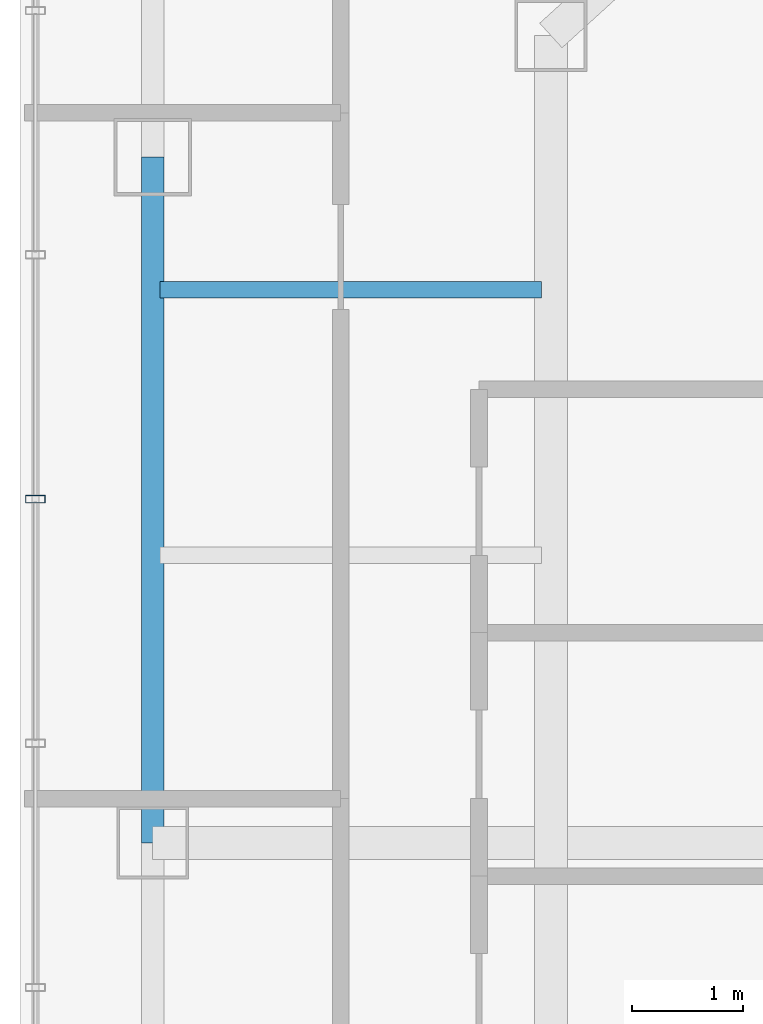
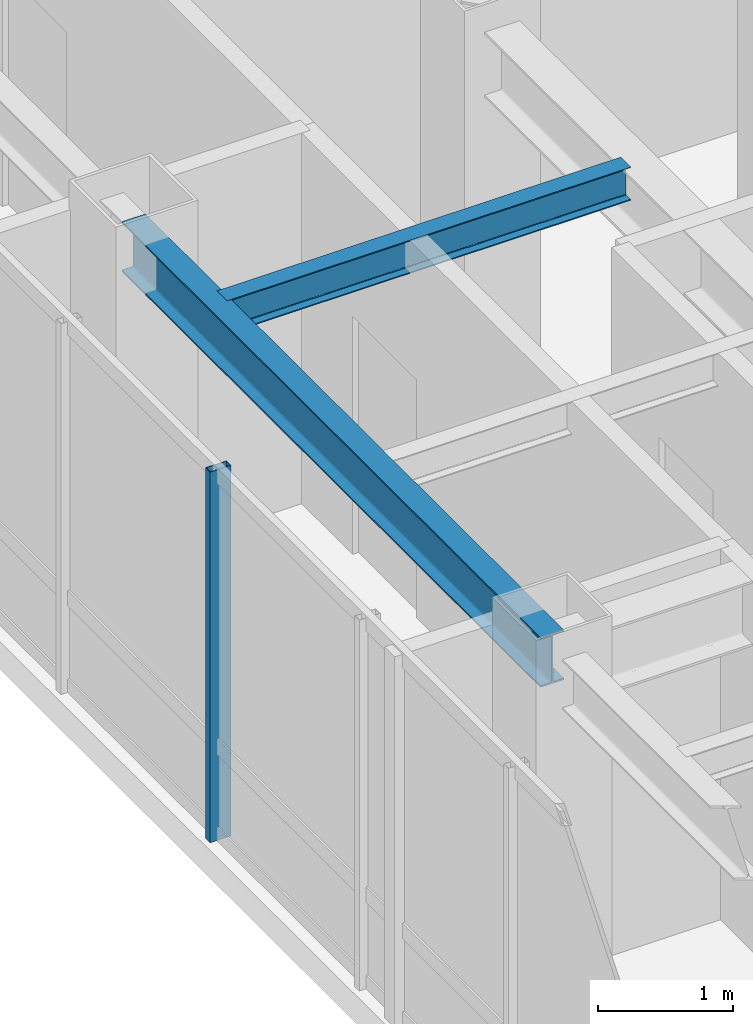
# One storey, part 8 of 26: 2 beams, 1 member, 1 element without a shape of its own.
"""IFC4 building model written with IfcOpenShell, lengths in metres."""

from ifc_helpers import new_model, si_unit, direction, frame, origin, origin_2d, place, context, subcontext, project, spatial, hollow_rectangle, i_section, extrude, material, layer, layer_set, material_profile, profile_set, type_object, element, aggregate, save


model = new_model("IFC4")

# Units and contexts
model_context = context("Model", 3, precision=1e-05, world=origin(), true_north=direction((0.0, 1.0)))
body_context = subcontext(model_context, "Body", "Model", "MODEL_VIEW")
ifc_project = project(units=[si_unit("LENGTHUNIT", "METRE"), si_unit("AREAUNIT", "SQUARE_METRE"), si_unit("VOLUMEUNIT", "CUBIC_METRE"), si_unit("PLANEANGLEUNIT", "RADIAN"), si_unit("MASSUNIT", "GRAM", prefix="KILO")], contexts=[model_context])

# Site, building, storey
site_placement = place(None, origin())
site = spatial("IfcSite", under=ifc_project, at=site_placement, CompositionType="ELEMENT")
building_placement = place(site_placement, origin())
building = spatial("IfcBuilding", under=site, at=building_placement, Name="Hatsunagi Terrace Concourse", CompositionType="ELEMENT")
storey_placement = place(building_placement, frame((0.0, 0.0, 227.550048828125)))
storey = spatial("IfcBuildingStorey", under=building, at=storey_placement, Name="L60", CompositionType="ELEMENT", Elevation=227.550048828125)

# Curtain wall, member
ifc_material_1 = material(Name="Anodised Aluminium Alloy 6063-T5", Category="aluminium")
ifc_layer = layer(ifc_material_1, 0.199951171875)
ifc_layer_set = layer_set([ifc_layer], Name="OfficeZone2_CW04")
curtain_wall_type = type_object("IfcCurtainWallType", Name="OfficeZone2_CW04", PredefinedType="NOTDEFINED", material=ifc_layer_set)
curtain_wall_placement = place(storey_placement, origin())
curtain_wall = element("IfcCurtainWall", 1, at=curtain_wall_placement, inside=storey, type_object=curtain_wall_type, Name="Unitised Curtain Wall CW-04 CW-L60-08", PredefinedType="NOTDEFINED")
ifc_material_2 = material(Name="Anodised Aluminium Alloy 6063-T5", Category="aluminium")
ifc_material_profile_1 = material_profile(ifc_material_2, hollow_rectangle(XDim=0.070068359375, YDim=0.179931640625, WallThickness=0.00390625, at=origin_2d()), Name="ALU-MUL-180x70x4")
ifc_profile_set_1 = profile_set([ifc_material_profile_1], Name="Anodised Aluminium Alloy 6063-T5")
member_type = type_object("IfcMemberType", Name="CurtainWallMullion_180x70", PredefinedType="MULLION", material=ifc_profile_set_1)
member_placement = place(storey_placement, frame((18.139892578125, 39.10791015625, 0.0), z_axis=(0.0, 0.0, 1.0), x_axis=(0.0, 1.0, 0.0)))
member = element("IfcMember", 2, at=member_placement, type_object=member_type, Name="Curtain Wall Mullion MUL-02", PredefinedType="MULLION", context=body_context, shape_type="SweptSolid", body=[
    extrude(hollow_rectangle(XDim=0.070068359375, YDim=0.179931640625, WallThickness=0.00390625, at=origin_2d()), origin(), (0.0, 0.0, 1.0), 3.349853515625),
])
aggregate(curtain_wall, [member])

# Beams
ifc_material_3 = material(Name="Steel SN490B", Category="steel")
ifc_material_profile_2 = material_profile(ifc_material_3, i_section(OverallWidth=0.14990234375, OverallDepth=0.300048828125, WebThickness=0.006591796875, FlangeThickness=0.009033203125, FilletRadius=0.010986328125, at=origin_2d()), Name="H-300x150x6.5x9")
ifc_profile_set_2 = profile_set([ifc_material_profile_2], Name="Steel SN490B")
beam_type_1 = type_object("IfcBeamType", Name="OfficeJoist_H_300x150", PredefinedType="JOIST", material=ifc_profile_set_2)
beam_1_placement = place(storey_placement, frame((19.264892578125, 41.0, 3.199951171875), z_axis=(1.0, 0.0, 0.0), x_axis=(0.0, 1.0, 0.0)))
element("IfcBeam", 3, at=beam_1_placement, inside=storey, type_object=beam_type_1, Name="Beam J-03 J-L60-W-19-410", PredefinedType="JOIST", context=body_context, shape_type="SweptSolid", body=[
    extrude(i_section(OverallWidth=0.14990234375, OverallDepth=0.300048828125, WebThickness=0.006591796875, FlangeThickness=0.009033203125, FilletRadius=0.010986328125, at=origin_2d()), origin(), (0.0, 0.0, 1.0), 3.4501953125),
])
ifc_material_4 = material(Name="Steel SN490B", Category="steel")
ifc_material_profile_3 = material_profile(ifc_material_4, i_section(OverallWidth=0.199951171875, OverallDepth=0.449951171875, WebThickness=0.009033203125, FlangeThickness=0.013916015625, FilletRadius=0.01611328125, at=origin_2d()), Name="H-450x200x9x14")
ifc_profile_set_3 = profile_set([ifc_material_profile_3], Name="Steel SN490B")
beam_type_2 = type_object("IfcBeamType", Name="PerimeterSpandrel_H_450x200", PredefinedType="SPANDREL", material=ifc_profile_set_3)
beam_2_placement = place(storey_placement, frame((19.199951171875, 36.0, 3.125), z_axis=(0.0, 1.0, 0.0), x_axis=(-1.0, 0.0, 0.0)))
element("IfcBeam", 4, at=beam_2_placement, inside=storey, type_object=beam_type_2, Name="Beam SP-02 BM-L60-NS-19-36", PredefinedType="SPANDREL", context=body_context, shape_type="SweptSolid", body=[
    extrude(i_section(OverallWidth=0.199951171875, OverallDepth=0.449951171875, WebThickness=0.009033203125, FlangeThickness=0.013916015625, FilletRadius=0.01611328125, at=origin_2d()), origin(), (0.0, 0.0, 1.0), 6.199951171875),
])

save(model, "model.ifc")
